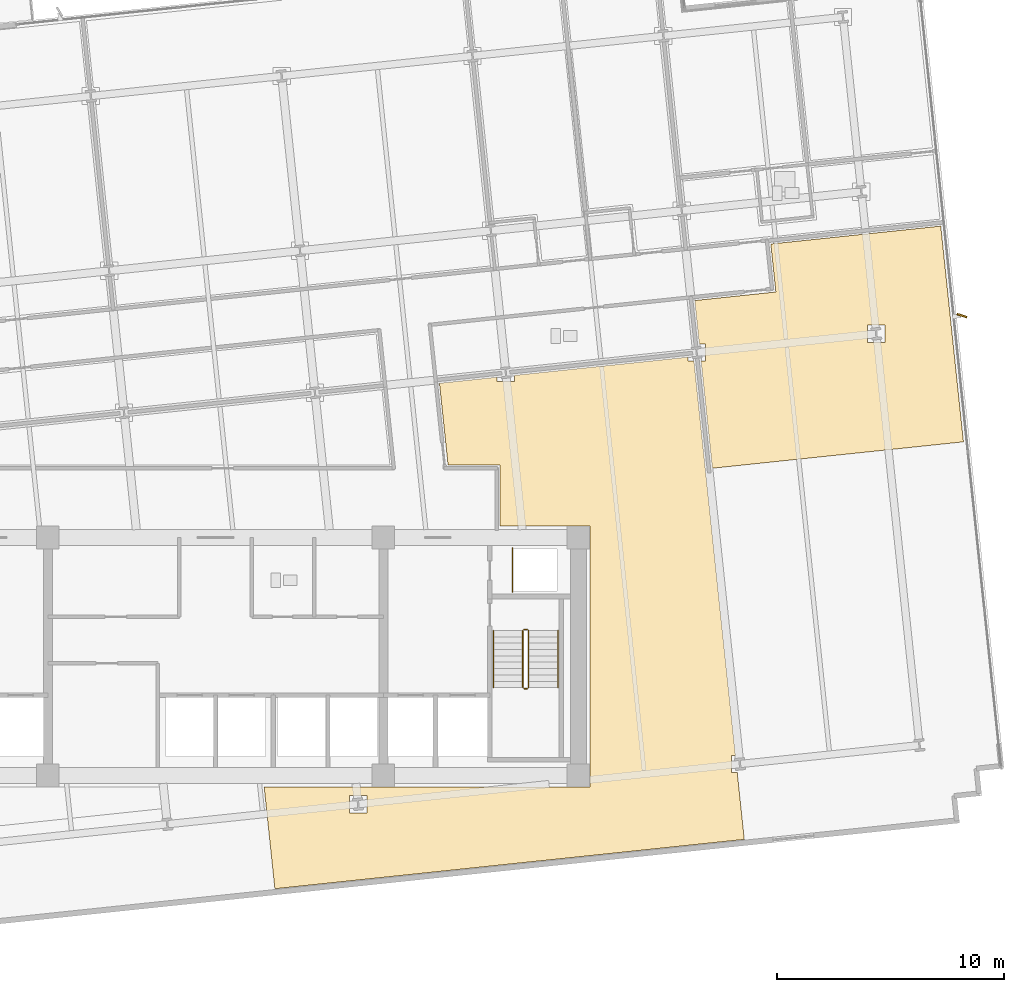
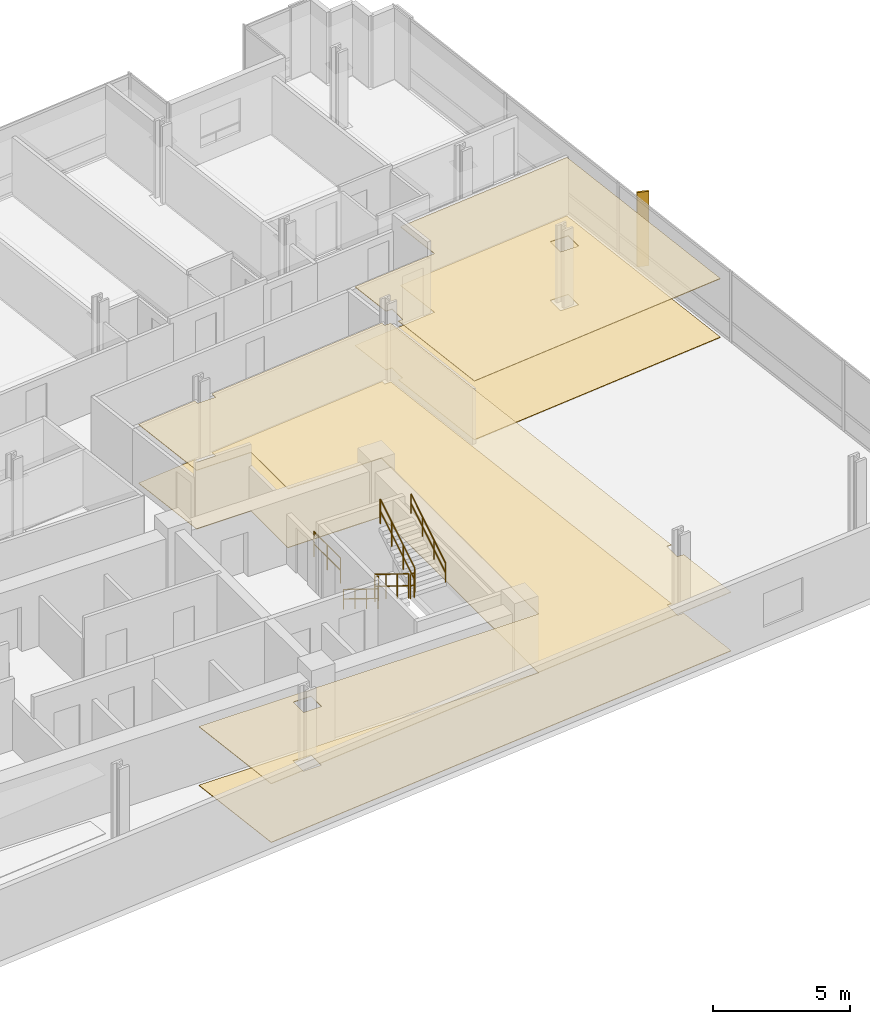
# One storey, part 18 of 20: 7 railings, 4 coverings, 1 shading device.
"""IFC4 building model written with IfcOpenShell, lengths in metres."""

from ifc_helpers import new_model, si_unit, direction, frame, origin, origin_2d, place, context, subcontext, project, spatial, polyline, rectangle, circle, outline, extrude, material, layer, layer_set, type_object, element, save


model = new_model("IFC4")

# Units and contexts
model_context = context("Model", 3, precision=1e-05, world=origin(), true_north=direction((0.0, 1.0)))
body_context = subcontext(model_context, "Body", "Model", "MODEL_VIEW")
ifc_project = project(units=[si_unit("LENGTHUNIT", "METRE"), si_unit("AREAUNIT", "SQUARE_METRE"), si_unit("VOLUMEUNIT", "CUBIC_METRE"), si_unit("PLANEANGLEUNIT", "RADIAN"), si_unit("MASSUNIT", "GRAM", prefix="KILO")], contexts=[model_context])

# Site, building, storey
site_placement = place(None, origin())
site = spatial("IfcSite", under=ifc_project, at=site_placement, CompositionType="ELEMENT")
building_placement = place(site_placement, origin())
building = spatial("IfcBuilding", under=site, at=building_placement, Name="Solmavex Isthmus Hotel", CompositionType="ELEMENT")
storey_placement = place(building_placement, frame((0.0, 0.0, 109.800048828125)))
storey = spatial("IfcBuildingStorey", under=building, at=storey_placement, Name="L29", CompositionType="ELEMENT", Elevation=109.800048828125)

# Coverings
ifc_material_1 = material(Name="Gypsum plasterboard lining", Category="gypsum")
ifc_layer_1 = layer(ifc_material_1, 0.030029296875)
ifc_layer_set_1 = layer_set([ifc_layer_1], Name="Gypsum plasterboard lining")
covering_type_1 = type_object("IfcCoveringType", Name="COV-CEIL-GYP", PredefinedType="CEILING", material=ifc_layer_set_1)
covering_1_placement = place(storey_placement, frame((0.0, 0.0, 2.619873046875)))
element("IfcCovering", 1, at=covering_1_placement, inside=storey, type_object=covering_type_1, Name="Suspended Acoustic Ceiling L29-FL12", PredefinedType="CEILING", context=body_context, shape_type="SweptSolid", body=[
    extrude(outline(polyline([(21.335693359375, 6.038330078125), (21.599609375, 6.038330078125), (21.599609375, 5.2783203125), (21.41552734375, 5.2783203125), (21.91162109375, 0.557861328125), (32.98876953125, 1.721923828125), (32.450927734375, 6.8388671875), (31.98828125, 11.239501953125), (24.49169921875, 10.45166015625), (24.71435546875, 8.333251953125), (21.134033203125, 7.95703125), (21.335693359375, 6.038330078125)]), holes=[polyline([(28.76416015625, 6.111328125), (28.76416015625, 6.871337890625), (29.524169921875, 6.871337890625), (29.524169921875, 6.111328125), (28.76416015625, 6.111328125)])]), origin(), (0.0, 0.0, 1.0), 0.030029296875),
])
covering_2_placement = place(storey_placement, frame((0.0, 0.0, 2.619873046875)))
element("IfcCovering", 2, at=covering_2_placement, inside=storey, type_object=covering_type_1, Name="Suspended Acoustic Ceiling L29-FL14", PredefinedType="CEILING", context=body_context, shape_type="SweptSolid", body=[
    extrude(outline(polyline([(13.18017578125, 4.657470703125), (13.18017578125, 4.393310546875), (12.420166015625, 4.393310546875), (12.420166015625, 4.57763671875), (9.87451171875, 4.31005859375), (10.25341796875, 0.705078125), (12.554931640625, 0.705078125), (12.554931640625, -1.9951171875), (16.5048828125, -1.9951171875), (16.5048828125, -13.5048828125), (2.141357421875, -13.5048828125), (2.61279296875, -17.9912109375), (23.32080078125, -15.814697265625), (23.011474609375, -12.87158203125), (22.747314453125, -12.87158203125), (22.747314453125, -12.111572265625), (22.931640625, -12.111572265625), (21.103759765625, 5.2783203125), (20.83984375, 5.2783203125), (20.83984375, 5.462646484375), (13.18017578125, 4.657470703125)]), holes=[polyline([(5.908203125, -14.6416015625), (5.908203125, -13.881591796875), (6.668212890625, -13.881591796875), (6.668212890625, -14.6416015625), (5.908203125, -14.6416015625)])]), origin(), (0.0, 0.0, 1.0), 0.030029296875),
])
ifc_material_2 = material(Name="Travertine natural stone", Category="masonry")
ifc_layer_2 = layer(ifc_material_2, 0.02490234375)
ifc_layer_set_2 = layer_set([ifc_layer_2], Name="Travertine natural stone")
covering_type_2 = type_object("IfcCoveringType", Name="COV-FLOR-STN", PredefinedType="FLOORING", material=ifc_layer_set_2)
covering_3_placement = place(storey_placement, origin())
element("IfcCovering", 3, at=covering_3_placement, inside=storey, type_object=covering_type_2, Name="Stone and Timber Floor Finish L29-FL12", PredefinedType="FLOORING", context=body_context, shape_type="SweptSolid", body=[
    extrude(outline(polyline([(21.335693359375, 6.038330078125), (21.599609375, 6.038330078125), (21.599609375, 5.2783203125), (21.41552734375, 5.2783203125), (21.91162109375, 0.557861328125), (32.98876953125, 1.721923828125), (32.450927734375, 6.8388671875), (31.98828125, 11.239501953125), (24.49169921875, 10.45166015625), (24.71435546875, 8.333251953125), (21.134033203125, 7.95703125), (21.335693359375, 6.038330078125)]), holes=[polyline([(28.76416015625, 6.111328125), (28.76416015625, 6.871337890625), (29.524169921875, 6.871337890625), (29.524169921875, 6.111328125), (28.76416015625, 6.111328125)])]), origin(), (0.0, 0.0, 1.0), 0.02490234375),
])
covering_4_placement = place(storey_placement, origin())
element("IfcCovering", 4, at=covering_4_placement, inside=storey, type_object=covering_type_2, Name="Stone and Timber Floor Finish L29-FL14", PredefinedType="FLOORING", context=body_context, shape_type="SweptSolid", body=[
    extrude(outline(polyline([(13.18017578125, 4.657470703125), (13.18017578125, 4.393310546875), (12.420166015625, 4.393310546875), (12.420166015625, 4.57763671875), (9.87451171875, 4.31005859375), (10.25341796875, 0.705078125), (12.554931640625, 0.705078125), (12.554931640625, -1.9951171875), (16.5048828125, -1.9951171875), (16.5048828125, -13.5048828125), (2.141357421875, -13.5048828125), (2.61279296875, -17.9912109375), (23.32080078125, -15.814697265625), (23.011474609375, -12.87158203125), (22.747314453125, -12.87158203125), (22.747314453125, -12.111572265625), (22.931640625, -12.111572265625), (21.103759765625, 5.2783203125), (20.83984375, 5.2783203125), (20.83984375, 5.462646484375), (13.18017578125, 4.657470703125)]), holes=[polyline([(5.908203125, -14.6416015625), (5.908203125, -13.881591796875), (6.668212890625, -13.881591796875), (6.668212890625, -14.6416015625), (5.908203125, -14.6416015625)])]), origin(), (0.0, 0.0, 1.0), 0.02490234375),
])

# Railings
ifc_material_3 = material(Name="Clear low-E laminated glass", Category="glass")
ifc_layer_3 = layer(ifc_material_3, 0.080078125)
ifc_layer_set_3 = layer_set([ifc_layer_3], Name="Clear low-E laminated glass")
railing_type_1 = type_object("IfcRailingType", Name="RAIL-ATRIUM-1120", PredefinedType="BALUSTRADE", material=ifc_layer_set_3)
railing_1_placement = place(storey_placement, frame((13.10009765625, -4.89990234375, 0.0)))
element("IfcRailing", 5, at=railing_1_placement, inside=storey, type_object=railing_type_1, Name="Guardrail Balustrade L29-RSE-01", PredefinedType="BALUSTRADE", context=body_context, shape_type="SweptSolid", body=[
    extrude(circle(Radius=0.02392578125, at=origin_2d()), frame((0.0, 0.0, 1.1259765625), z_axis=(0.0, 1.0, 0.0), x_axis=(-1.0, 0.0, 0.0)), (0.0, 0.0, 1.0), 1.949951171875),
    extrude(circle(Radius=0.02392578125, at=origin_2d()), frame((0.0, 0.0, 0.574951171875), z_axis=(0.0, 1.0, 0.0), x_axis=(-1.0, 0.0, 0.0)), (0.0, 0.0, 1.0), 1.949951171875),
    extrude(circle(Radius=0.02099609375, at=origin_2d()), origin(), (0.0, 0.0, 1.0), 1.101806640625),
    extrude(circle(Radius=0.02099609375, at=origin_2d()), frame((0.0, 0.97509765625, 0.0)), (0.0, 0.0, 1.0), 1.101806640625),
    extrude(circle(Radius=0.02099609375, at=origin_2d()), frame((0.0, 1.949951171875, 0.0)), (0.0, 0.0, 1.0), 1.101806640625),
])
ifc_material_4 = material(Name="Stainless steel 316", Category="steel")
ifc_layer_4 = layer(ifc_material_4, 0.06005859375)
ifc_layer_set_4 = layer_set([ifc_layer_4], Name="Stainless steel 316")
railing_type_2 = type_object("IfcRailingType", Name="RAIL-STAIR-GD", PredefinedType="GUARDRAIL", material=ifc_layer_set_4)
railing_2_placement = place(storey_placement, frame((13.550048828125, -6.60009765625, 0.17236328125)))
element("IfcRailing", 6, at=railing_2_placement, inside=storey, type_object=railing_type_2, Name="L29 ST-2 stair guard 1", PredefinedType="GUARDRAIL", context=body_context, shape_type="SweptSolid", body=[
    extrude(circle(Radius=0.02392578125, at=origin_2d()), frame((0.0, 0.0, 1.09619140625), z_axis=(0.0, -0.851400495292, 0.524516154772), x_axis=(1.0, 0.0, 0.0)), (0.0, 0.0, 1.0), 2.9599609375),
    extrude(circle(Radius=0.02392578125, at=origin_2d()), frame((0.0, 0.0, 0.56005859375), z_axis=(0.0, -0.851400495292, 0.524516154772), x_axis=(1.0, 0.0, 0.0)), (0.0, 0.0, 1.0), 2.9599609375),
    extrude(circle(Radius=0.02099609375, at=origin_2d()), origin(), (0.0, 0.0, 1.0), 1.072021484375),
    extrude(circle(Radius=0.02099609375, at=origin_2d()), frame((0.0, -0.840087890625, 0.517578125)), (0.0, 0.0, 1.0), 1.072021484375),
    extrude(circle(Radius=0.02099609375, at=origin_2d()), frame((0.0, -1.679931640625, 1.034912109375)), (0.0, 0.0, 1.0), 1.072021484375),
    extrude(circle(Radius=0.02099609375, at=origin_2d()), frame((0.0, -2.52001953125, 1.552490234375)), (0.0, 0.0, 1.0), 1.072021484375),
])
railing_3_placement = place(storey_placement, frame((13.60009765625, -9.169921875, 1.724853515625)))
element("IfcRailing", 7, at=railing_3_placement, inside=storey, type_object=railing_type_2, Name="L29 ST-2 stair guard 2", PredefinedType="GUARDRAIL", context=body_context, shape_type="SweptSolid", body=[
    extrude(circle(Radius=0.02392578125, at=origin_2d()), frame((0.0, 0.0, 1.09619140625), z_axis=(1.0, 0.0, 0.0), x_axis=(0.0, 1.0, 0.0)), (0.0, 0.0, 1.0), 0.14990234375),
    extrude(circle(Radius=0.02392578125, at=origin_2d()), frame((0.0, 0.0, 0.56005859375), z_axis=(1.0, 0.0, 0.0), x_axis=(0.0, 1.0, 0.0)), (0.0, 0.0, 1.0), 0.14990234375),
    extrude(circle(Radius=0.02099609375, at=origin_2d()), origin(), (0.0, 0.0, 1.0), 1.072021484375),
    extrude(circle(Radius=0.02099609375, at=origin_2d()), frame((0.14990234375, 0.0, 0.0)), (0.0, 0.0, 1.0), 1.072021484375),
])
railing_4_placement = place(storey_placement, frame((13.800048828125, -9.1201171875, 1.8974609375)))
element("IfcRailing", 8, at=railing_4_placement, inside=storey, type_object=railing_type_2, Name="L29 ST-2 stair guard 3", PredefinedType="GUARDRAIL", context=body_context, shape_type="SweptSolid", body=[
    extrude(circle(Radius=0.02392578125, at=origin_2d()), frame((0.0, 0.0, 1.09619140625), z_axis=(0.0, 0.851400495292, 0.524516154772), x_axis=(-1.0, 0.0, 0.0)), (0.0, 0.0, 1.0), 2.9599609375),
    extrude(circle(Radius=0.02392578125, at=origin_2d()), frame((0.0, 0.0, 0.56005859375), z_axis=(0.0, 0.851400495292, 0.524516154772), x_axis=(-1.0, 0.0, 0.0)), (0.0, 0.0, 1.0), 2.9599609375),
    extrude(circle(Radius=0.02099609375, at=origin_2d()), origin(), (0.0, 0.0, 1.0), 1.072021484375),
    extrude(circle(Radius=0.02099609375, at=origin_2d()), frame((0.0, 0.840087890625, 0.517578125)), (0.0, 0.0, 1.0), 1.072021484375),
    extrude(circle(Radius=0.02099609375, at=origin_2d()), frame((0.0, 1.679931640625, 1.034912109375)), (0.0, 0.0, 1.0), 1.072021484375),
    extrude(circle(Radius=0.02099609375, at=origin_2d()), frame((0.0, 2.52001953125, 1.552490234375)), (0.0, 0.0, 1.0), 1.072021484375),
])
railing_5_placement = place(storey_placement, frame((13.60009765625, -6.550048828125, 0.0)))
element("IfcRailing", 9, at=railing_5_placement, inside=storey, type_object=railing_type_2, Name="L29 ST-2 stair guard 4", PredefinedType="GUARDRAIL", context=body_context, shape_type="SweptSolid", body=[
    extrude(circle(Radius=0.02392578125, at=origin_2d()), frame((0.0, 0.0, 1.09619140625), z_axis=(1.0, 0.0, 0.0), x_axis=(0.0, 1.0, 0.0)), (0.0, 0.0, 1.0), 0.14990234375),
    extrude(circle(Radius=0.02392578125, at=origin_2d()), frame((0.0, 0.0, 0.56005859375), z_axis=(1.0, 0.0, 0.0), x_axis=(0.0, 1.0, 0.0)), (0.0, 0.0, 1.0), 0.14990234375),
    extrude(circle(Radius=0.02099609375, at=origin_2d()), origin(), (0.0, 0.0, 1.0), 1.072021484375),
    extrude(circle(Radius=0.02099609375, at=origin_2d()), frame((0.14990234375, 0.0, 0.0)), (0.0, 0.0, 1.0), 1.072021484375),
])
ifc_layer_5 = layer(ifc_material_4, 0.050048828125)
ifc_layer_set_5 = layer_set([ifc_layer_5], Name="Stainless steel 316")
railing_type_3 = type_object("IfcRailingType", Name="RAIL-STAIR-HR", PredefinedType="HANDRAIL", material=ifc_layer_set_5)
railing_6_placement = place(storey_placement, frame((12.25, -6.60009765625, 0.17236328125)))
element("IfcRailing", 10, at=railing_6_placement, inside=storey, type_object=railing_type_3, Name="L29 ST-2 stair handrail 1", PredefinedType="HANDRAIL", context=body_context, shape_type="SweptSolid", body=[
    extrude(circle(Radius=0.02392578125, at=origin_2d()), frame((0.0, 0.0, 0.8759765625), z_axis=(0.0, -0.851400495292, 0.524516154772), x_axis=(1.0, 0.0, 0.0)), (0.0, 0.0, 1.0), 2.9599609375),
    extrude(circle(Radius=0.02392578125, at=origin_2d()), frame((0.0, 0.0, 0.449951171875), z_axis=(0.0, -0.851400495292, 0.524516154772), x_axis=(1.0, 0.0, 0.0)), (0.0, 0.0, 1.0), 2.9599609375),
    extrude(circle(Radius=0.02099609375, at=origin_2d()), origin(), (0.0, 0.0, 1.0), 0.851806640625),
    extrude(circle(Radius=0.02099609375, at=origin_2d()), frame((0.0, -0.840087890625, 0.517578125)), (0.0, 0.0, 1.0), 0.851806640625),
    extrude(circle(Radius=0.02099609375, at=origin_2d()), frame((0.0, -1.679931640625, 1.034912109375)), (0.0, 0.0, 1.0), 0.851806640625),
    extrude(circle(Radius=0.02099609375, at=origin_2d()), frame((0.0, -2.52001953125, 1.552490234375)), (0.0, 0.0, 1.0), 0.851806640625),
])
railing_7_placement = place(storey_placement, frame((15.10009765625, -9.1201171875, 1.8974609375)))
element("IfcRailing", 11, at=railing_7_placement, inside=storey, type_object=railing_type_3, Name="L29 ST-2 stair handrail 2", PredefinedType="HANDRAIL", context=body_context, shape_type="SweptSolid", body=[
    extrude(circle(Radius=0.02392578125, at=origin_2d()), frame((0.0, 0.0, 0.8759765625), z_axis=(0.0, 0.851400495292, 0.524516154772), x_axis=(-1.0, 0.0, 0.0)), (0.0, 0.0, 1.0), 2.9599609375),
    extrude(circle(Radius=0.02392578125, at=origin_2d()), frame((0.0, 0.0, 0.449951171875), z_axis=(0.0, 0.851400495292, 0.524516154772), x_axis=(-1.0, 0.0, 0.0)), (0.0, 0.0, 1.0), 2.9599609375),
    extrude(circle(Radius=0.02099609375, at=origin_2d()), origin(), (0.0, 0.0, 1.0), 0.851806640625),
    extrude(circle(Radius=0.02099609375, at=origin_2d()), frame((0.0, 0.840087890625, 0.517578125)), (0.0, 0.0, 1.0), 0.851806640625),
    extrude(circle(Radius=0.02099609375, at=origin_2d()), frame((0.0, 1.679931640625, 1.034912109375)), (0.0, 0.0, 1.0), 0.851806640625),
    extrude(circle(Radius=0.02099609375, at=origin_2d()), frame((0.0, 2.52001953125, 1.552490234375)), (0.0, 0.0, 1.0), 0.851806640625),
])

# Shading device
ifc_material_5 = material(Name="Aluminium alloy 6063-T6", Category="aluminium")
shading_device_type = type_object("IfcShadingDeviceType", Name="SHD-FIN-BRONZE", PredefinedType="USERDEFINED", material=ifc_material_5)
shading_device_placement = place(storey_placement, frame((32.921142578125, 7.29052734375, -0.14013671875), z_axis=(0.0, 0.0, 1.0), x_axis=(0.951056516295, -0.309016994375, 0.0)))
element("IfcShadingDevice", 12, at=shading_device_placement, inside=storey, type_object=shading_device_type, Name="Anodised Aluminium Solar Fin L29-E1", ObjectType="SOLAR_FIN", PredefinedType="USERDEFINED", context=body_context, shape_type="SweptSolid", body=[
    extrude(rectangle(XDim=0.449951171875, YDim=0.080078125, at=origin_2d()), origin(), (0.0, 0.0, 1.0), 3.330078125),
])

save(model, "model.ifc")
